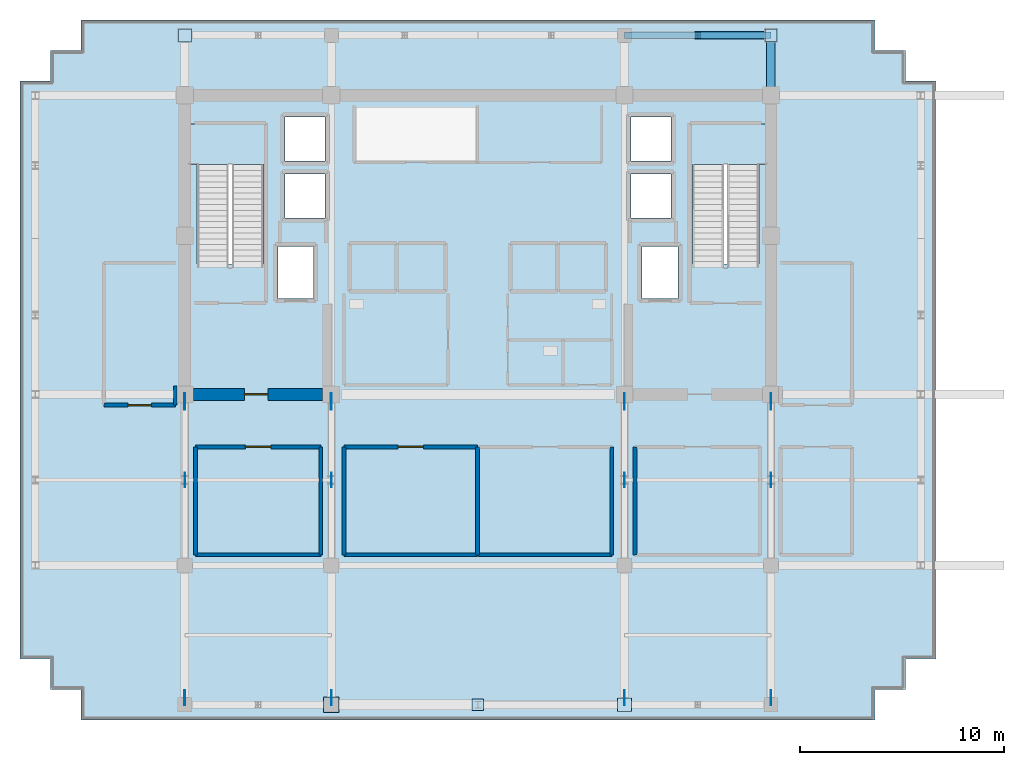
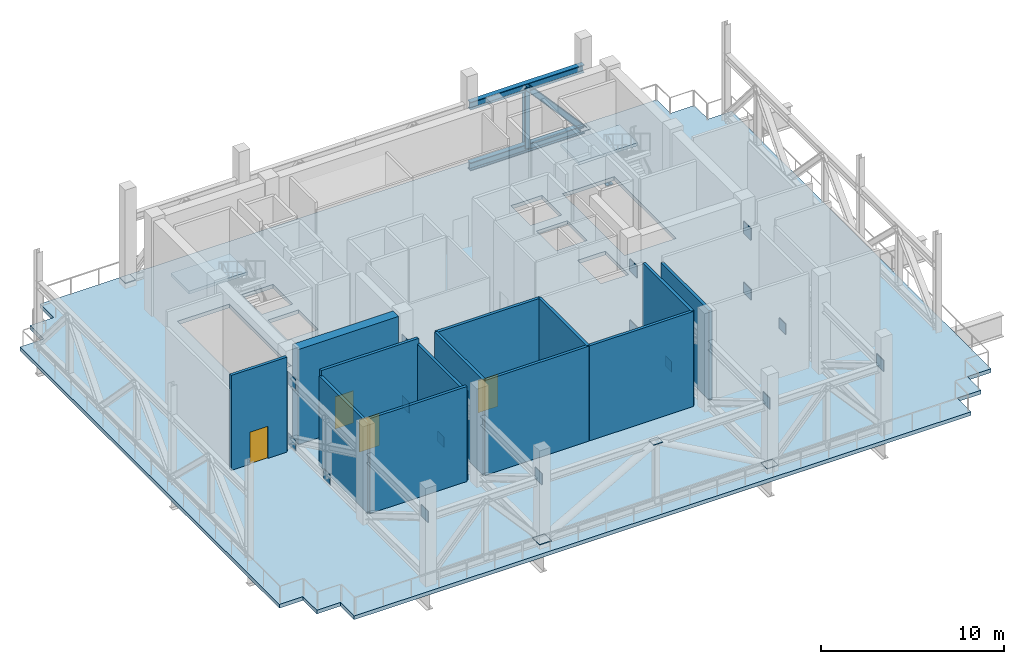
# One storey, part 3 of 11: 21 plates, 14 walls, 4 doors, 4 members, 3 slabs, 1 beam, 4 openings, 2 elements without a shape of their own.
"""IFC4 building model written with IfcOpenShell, lengths in metres."""

from ifc_helpers import new_model, si_unit, direction, frame, frame_2d, origin, origin_2d, place, context, subcontext, project, spatial, polyline, rectangle, i_section, outline, extrude, source, transform, mapped, material, layer, layer_set, material_profile, profile_set, type_object, element, fill, aggregate, save


model = new_model("IFC4")

# Units and contexts
model_context = context("Model", 3, precision=1e-05, world=origin(), true_north=direction((0.0, 1.0)))
body_context = subcontext(model_context, "Body", "Model", "MODEL_VIEW")
ifc_project = project(units=[si_unit("LENGTHUNIT", "METRE"), si_unit("AREAUNIT", "SQUARE_METRE"), si_unit("VOLUMEUNIT", "CUBIC_METRE"), si_unit("PLANEANGLEUNIT", "RADIAN"), si_unit("MASSUNIT", "GRAM", prefix="KILO")], contexts=[model_context])

# Site, building, storey
site_placement = place(None, origin())
site = spatial("IfcSite", under=ifc_project, at=site_placement, CompositionType="ELEMENT")
building_placement = place(site_placement, origin())
building = spatial("IfcBuilding", under=site, at=building_placement, Name="Zarnakvel Exchange Tower", CompositionType="ELEMENT")
storey_placement = place(building_placement, frame((0.0, 0.0, 199.0)))
storey = spatial("IfcBuildingStorey", under=building, at=storey_placement, Name="L56", CompositionType="ELEMENT", Elevation=199.0)

# Beam
ifc_material_1 = material(Name="Steel S460", Category="steel")
ifc_material_profile_1 = material_profile(ifc_material_1, i_section(OverallWidth=0.419921875, OverallDepth=1.449951171875, WebThickness=0.02392578125, FlangeThickness=0.0400390625, FilletRadius=0.030029296875, at=origin_2d()))
ifc_profile_set_1 = profile_set([ifc_material_profile_1], Name="Steel S460")
beam_type = type_object("IfcBeamType", Name="TG-01", PredefinedType="BEAM", material=ifc_profile_set_1)
beam_placement = place(storey_placement, frame((14.39990234375, 13.5, -0.97509765625), z_axis=(0.0, 1.0, 0.0), x_axis=(-1.0, 0.0, 0.0)))
element("IfcBeam", 1, at=beam_placement, inside=storey, type_object=beam_type, Name="L56 Setback N-S Transfer Girder TN-9", PredefinedType="BEAM", context=body_context, shape_type="SweptSolid", body=[
    extrude(i_section(OverallWidth=0.419921875, OverallDepth=1.449951171875, WebThickness=0.02392578125, FlangeThickness=0.0400390625, FilletRadius=0.030029296875, at=origin_2d()), origin(), (0.0, 0.0, 1.0), 3.14990234375),
])

# Members
ifc_material_2 = material(Name="Steel S355", Category="steel")
ifc_material_profile_2 = material_profile(ifc_material_2, i_section(OverallWidth=0.305908203125, OverallDepth=0.52392578125, WebThickness=0.02099609375, FlangeThickness=0.0400390625, FilletRadius=0.027099609375, at=origin_2d()))
ifc_profile_set_2 = profile_set([ifc_material_profile_2], Name="Steel S355")
member_type_1 = type_object("IfcMemberType", Name="BT-02", PredefinedType="CHORD", material=ifc_profile_set_2)
shared_shape_1 = source(origin(), body_context, "Body", "SweptSolid", [
    extrude(i_section(OverallWidth=0.305908203125, OverallDepth=0.52392578125, WebThickness=0.02099609375, FlangeThickness=0.0400390625, FilletRadius=0.027099609375, at=origin_2d()), origin(), (0.0, 0.0, 1.0), 7.199951171875),
])
for number, where, z_axis, x_axis, name in (
    (2, (7.199951171875, 16.449951171875, 0.35009765625), (1.0, 0.0, 0.0), (0.0, 1.0, 0.0), "L56 Belt Truss Bottom Chord N-E1"),
    (3, (7.199951171875, 16.449951171875, 4.39990234375), (1.0, 0.0, 0.0), (0.0, 1.0, 0.0), "L56 Belt Truss Top Chord N-E1"),
):
    element("IfcMember", number, at=place(storey_placement, frame(where, z_axis=z_axis, x_axis=x_axis)), inside=storey, type_object=member_type_1, Name=name, PredefinedType="CHORD", context=body_context, shape_type="MappedRepresentation", body=[
        mapped(shared_shape_1, transform((0.0, 0.0, 0.0), x_axis=(1.0, 0.0, 0.0), y_axis=(0.0, 1.0, 0.0), z_axis=(0.0, 0.0, 1.0), scale=1.0)),
    ])
ifc_material_profile_3 = material_profile(ifc_material_2, i_section(OverallWidth=0.30908203125, OverallDepth=0.35888671875, WebThickness=0.02099609375, FlangeThickness=0.033935546875, FilletRadius=0.014892578125, at=origin_2d()))
ifc_profile_set_3 = profile_set([ifc_material_profile_3], Name="Steel S355")
member_type_2 = type_object("IfcMemberType", Name="BT-03", PredefinedType="STRUT", material=ifc_profile_set_3)
shared_shape_2 = source(origin(), body_context, "Body", "SweptSolid", [
    extrude(i_section(OverallWidth=0.30908203125, OverallDepth=0.35888671875, WebThickness=0.02099609375, FlangeThickness=0.033935546875, FilletRadius=0.014892578125, at=origin_2d()), origin(), (0.0, 0.0, 1.0), 4.0498046875),
])
member_1_placement = place(storey_placement, frame((10.800048828125, 16.449951171875, 0.35009765625), z_axis=(0.0, 0.0, 1.0), x_axis=(1.0, 0.0, 0.0)))
element("IfcMember", 4, at=member_1_placement, inside=storey, type_object=member_type_2, Name="L56 Belt Truss Vertical Post N-E1", PredefinedType="STRUT", context=body_context, shape_type="MappedRepresentation", body=[
    mapped(shared_shape_2, transform((0.0, 0.0, 0.0), x_axis=(1.0, 0.0, 0.0), y_axis=(0.0, 1.0, 0.0), z_axis=(0.0, 0.0, 1.0), scale=1.0)),
])
ifc_material_profile_4 = material_profile(ifc_material_2, i_section(OverallWidth=0.3740234375, OverallDepth=0.364013671875, WebThickness=0.01806640625, FlangeThickness=0.027587890625, FilletRadius=0.014892578125, at=origin_2d()))
ifc_profile_set_4 = profile_set([ifc_material_profile_4], Name="Steel S355")
member_type_3 = type_object("IfcMemberType", Name="BT-01", PredefinedType="BRACE", material=ifc_profile_set_4)
shared_shape_3 = source(origin(), body_context, "Body", "SweptSolid", [
    extrude(i_section(OverallWidth=0.3740234375, OverallDepth=0.364013671875, WebThickness=0.01806640625, FlangeThickness=0.027587890625, FilletRadius=0.014892578125, at=origin_2d()), origin(), (0.0, 0.0, 1.0), 5.41845703125),
])
member_2_placement = place(storey_placement, frame((14.39990234375, 16.449951171875, 0.35009765625), z_axis=(-0.664366635472, 0.0, 0.747406832771), x_axis=(0.0, -1.0, 0.0)))
element("IfcMember", 5, at=member_2_placement, inside=storey, type_object=member_type_3, Name="L56 Belt Truss Chevron Right N-E1", PredefinedType="BRACE", context=body_context, shape_type="MappedRepresentation", body=[
    mapped(shared_shape_3, transform((0.0, 0.0, 0.0), x_axis=(1.0, 0.0, 0.0), y_axis=(0.0, 1.0, 0.0), z_axis=(0.0, 0.0, 1.0), scale=1.0)),
])

# Stair, slab
ifc_material_3 = material(Name="Concrete C40/50", Category="concrete")
stair_type = type_object("IfcStairType", Name="STR-01", PredefinedType="HALF_TURN_STAIR", material=ifc_material_3)
stair_1_placement = place(storey_placement, origin())
stair_1 = element("IfcStair", 6, at=stair_1_placement, inside=storey, type_object=stair_type, Name="L56 Protected Core Exit Stair ST-01", PredefinedType="HALF_TURN_STAIR")
ifc_layer_1 = layer(ifc_material_3, 0.199951171875)
ifc_layer_set_1 = layer_set([ifc_layer_1], Name="Concrete C40/50")
slab_type_1 = type_object("IfcSlabType", Name="LDG-01", PredefinedType="LANDING", material=ifc_layer_set_1)
slab_1_placement = place(storey_placement, frame((0.0, 0.0, 3.10009765625)))
slab_1 = element("IfcSlab", 7, at=slab_1_placement, type_object=slab_type_1, Name="ST-01 landing 1", PredefinedType="LANDING", context=body_context, shape_type="SweptSolid", body=[
    extrude(outline(polyline([(-14.18994140625, 10.090087890625), (-10.4599609375, 10.090087890625), (-10.4599609375, 12.080078125), (-14.18994140625, 12.080078125), (-14.18994140625, 10.090087890625)])), origin(), (0.0, 0.0, 1.0), 0.199951171875),
])
aggregate(stair_1, [slab_1])

stair_2_placement = place(storey_placement, origin())
stair_2 = element("IfcStair", 8, at=stair_2_placement, inside=storey, type_object=stair_type, Name="L56 Protected Core Exit Stair ST-02", PredefinedType="HALF_TURN_STAIR")
slab_2_placement = place(storey_placement, frame((0.0, 0.0, 3.10009765625)))
slab_2 = element("IfcSlab", 9, at=slab_2_placement, type_object=slab_type_1, Name="ST-02 landing 1", PredefinedType="LANDING", context=body_context, shape_type="SweptSolid", body=[
    extrude(outline(polyline([(10.4599609375, 10.090087890625), (14.18994140625, 10.090087890625), (14.18994140625, 12.080078125), (10.4599609375, 12.080078125), (10.4599609375, 10.090087890625)])), origin(), (0.0, 0.0, 1.0), 0.199951171875),
])
aggregate(stair_2, [slab_2])

# Slab
ifc_layer_2 = layer(ifc_material_3, 0.25)
ifc_layer_set_2 = layer_set([ifc_layer_2], Name="Concrete C40/50")
slab_type_2 = type_object("IfcSlabType", Name="SL-03", PredefinedType="FLOOR", material=ifc_layer_set_2)
slab_3_placement = place(storey_placement, frame((0.0, 0.0, -0.25)))
element("IfcSlab", 10, at=slab_3_placement, inside=storey, type_object=slab_type_2, Name="L56 Primary Structural Floor Slab", PredefinedType="FLOOR", context=body_context, shape_type="SweptSolid", body=[
    extrude(outline(polyline([(-22.5, -14.199951171875), (-21.0, -14.199951171875), (-21.0, -15.699951171875), (-19.5, -15.699951171875), (-19.5, -17.199951171875), (19.5, -17.199951171875), (19.5, -15.699951171875), (21.0, -15.699951171875), (21.0, -14.199951171875), (22.5, -14.199951171875), (22.5, 14.199951171875), (21.0, 14.199951171875), (21.0, 15.699951171875), (19.5, 15.699951171875), (19.5, 17.199951171875), (-19.5, 17.199951171875), (-19.5, 15.699951171875), (-21.0, 15.699951171875), (-21.0, 14.199951171875), (-22.5, 14.199951171875), (-22.5, -14.199951171875)]), holes=[polyline([(-13.800048828125, 5.2099609375), (-10.5400390625, 5.2099609375), (-10.5400390625, 12.0), (-13.800048828125, 12.0), (-13.800048828125, 5.2099609375)]), polyline([(10.5400390625, 5.2099609375), (13.800048828125, 5.2099609375), (13.800048828125, 12.0), (10.5400390625, 12.0), (10.5400390625, 5.2099609375)]), polyline([(-9.830078125, 3.52001953125), (-8.070068359375, 3.52001953125), (-8.070068359375, 6.080078125), (-9.830078125, 6.080078125), (-9.830078125, 3.52001953125)]), polyline([(8.070068359375, 3.52001953125), (9.830078125, 3.52001953125), (9.830078125, 6.080078125), (8.070068359375, 6.080078125), (8.070068359375, 3.52001953125)]), polyline([(-9.47998046875, 7.469970703125), (-7.52001953125, 7.469970703125), (-7.52001953125, 9.6298828125), (-9.47998046875, 9.6298828125), (-9.47998046875, 7.469970703125)]), polyline([(-9.47998046875, 10.27001953125), (-7.52001953125, 10.27001953125), (-7.52001953125, 12.429931640625), (-9.47998046875, 12.429931640625), (-9.47998046875, 10.27001953125)]), polyline([(7.52001953125, 7.469970703125), (9.47998046875, 7.469970703125), (9.47998046875, 9.6298828125), (7.52001953125, 9.6298828125), (7.52001953125, 7.469970703125)]), polyline([(7.52001953125, 10.27001953125), (9.47998046875, 10.27001953125), (9.47998046875, 12.429931640625), (7.52001953125, 12.429931640625), (7.52001953125, 10.27001953125)])]), origin(), (0.0, 0.0, 1.0), 0.25),
])

# Plates
ifc_layer_3 = layer(ifc_material_1, 0.0380859375)
ifc_layer_set_3 = layer_set([ifc_layer_3], Name="Steel S460")
plate_type_1 = type_object("IfcPlateType", Name="ON1", PredefinedType="USERDEFINED", material=ifc_layer_set_3)
shared_shape_4 = source(origin(), body_context, "Body", "SweptSolid", [
    extrude(rectangle(XDim=0.0380859375, YDim=0.800048828125, at=origin_2d()), origin(), (0.0, 0.0, 1.0), 0.800048828125),
])
for number, where, z_axis, x_axis, name in (
    (11, (-14.39990234375, -1.550048828125, 4.0), (0.0, 0.0, 1.0), (1.0, 0.0, 0.0), "L56 Outrigger Core Upper Gusset ON1 (4)"),
    (12, (-7.199951171875, -1.550048828125, 4.0), (0.0, 0.0, 1.0), (1.0, 0.0, 0.0), "L56 Outrigger Core Upper Gusset ON1 (5)"),
    (13, (7.199951171875, -1.550048828125, 4.0), (0.0, 0.0, 1.0), (1.0, 0.0, 0.0), "L56 Outrigger Core Upper Gusset ON1 (8)"),
    (14, (14.39990234375, -1.550048828125, 4.0), (0.0, 0.0, 1.0), (1.0, 0.0, 0.0), "L56 Outrigger Core Upper Gusset ON1 (9)"),
):
    element("IfcPlate", number, at=place(storey_placement, frame(where, z_axis=z_axis, x_axis=x_axis)), inside=storey, type_object=plate_type_1, Name=name, ObjectType="GUSSET_PLATE", PredefinedType="USERDEFINED", context=body_context, shape_type="MappedRepresentation", body=[
        mapped(shared_shape_4, transform((0.0, 0.0, 0.0), x_axis=(1.0, 0.0, 0.0), y_axis=(0.0, 1.0, 0.0), z_axis=(0.0, 0.0, 1.0), scale=1.0)),
    ])
ifc_layer_4 = layer(ifc_material_1, 0.035888671875)
ifc_layer_set_4 = layer_set([ifc_layer_4], Name="Steel S460")
plate_type_2 = type_object("IfcPlateType", Name="ON2", PredefinedType="USERDEFINED", material=ifc_layer_set_4)
shared_shape_5 = source(origin(), body_context, "Body", "SweptSolid", [
    extrude(rectangle(XDim=0.035888671875, YDim=0.800048828125, at=origin_2d()), origin(), (0.0, 0.0, 1.0), 0.75),
])
for number, where, z_axis, x_axis, name in (
    (15, (-14.39990234375, -1.550048828125, -0.02490234375), (0.0, 0.0, 1.0), (1.0, 0.0, 0.0), "L56 Outrigger Core Lower Gusset ON2 (4)"),
    (16, (-7.199951171875, -1.550048828125, -0.02490234375), (0.0, 0.0, 1.0), (1.0, 0.0, 0.0), "L56 Outrigger Core Lower Gusset ON2 (5)"),
    (17, (7.199951171875, -1.550048828125, -0.02490234375), (0.0, 0.0, 1.0), (1.0, 0.0, 0.0), "L56 Outrigger Core Lower Gusset ON2 (8)"),
    (18, (14.39990234375, -1.550048828125, -0.02490234375), (0.0, 0.0, 1.0), (1.0, 0.0, 0.0), "L56 Outrigger Core Lower Gusset ON2 (9)"),
):
    element("IfcPlate", number, at=place(storey_placement, frame(where, z_axis=z_axis, x_axis=x_axis)), inside=storey, type_object=plate_type_2, Name=name, ObjectType="GUSSET_PLATE", PredefinedType="USERDEFINED", context=body_context, shape_type="MappedRepresentation", body=[
        mapped(shared_shape_5, transform((0.0, 0.0, 0.0), x_axis=(1.0, 0.0, 0.0), y_axis=(0.0, 1.0, 0.0), z_axis=(0.0, 0.0, 1.0), scale=1.0)),
    ])
ifc_layer_5 = layer(ifc_material_1, 0.034912109375)
ifc_layer_set_5 = layer_set([ifc_layer_5], Name="Steel S460")
plate_type_3 = type_object("IfcPlateType", Name="ON3", PredefinedType="USERDEFINED", material=ifc_layer_set_5)
shared_shape_6 = source(origin(), body_context, "Body", "SweptSolid", [
    extrude(rectangle(XDim=0.034912109375, YDim=0.75, at=origin_2d()), origin(), (0.0, 0.0, 1.0), 0.75),
])
for number, where, z_axis, x_axis, name in (
    (19, (-14.39990234375, -16.10009765625, 4.02490234375), (0.0, 0.0, 1.0), (1.0, 0.0, 0.0), "L56 Outrigger Perimeter Gusset ON3 (4)"),
    (20, (-7.199951171875, -16.10009765625, 4.02490234375), (0.0, 0.0, 1.0), (1.0, 0.0, 0.0), "L56 Outrigger Perimeter Gusset ON3 (5)"),
    (21, (7.199951171875, -16.10009765625, 4.02490234375), (0.0, 0.0, 1.0), (1.0, 0.0, 0.0), "L56 Outrigger Perimeter Gusset ON3 (8)"),
    (22, (14.39990234375, -16.10009765625, 4.02490234375), (0.0, 0.0, 1.0), (1.0, 0.0, 0.0), "L56 Outrigger Perimeter Gusset ON3 (9)"),
):
    element("IfcPlate", number, at=place(storey_placement, frame(where, z_axis=z_axis, x_axis=x_axis)), inside=storey, type_object=plate_type_3, Name=name, ObjectType="GUSSET_PLATE", PredefinedType="USERDEFINED", context=body_context, shape_type="MappedRepresentation", body=[
        mapped(shared_shape_6, transform((0.0, 0.0, 0.0), x_axis=(1.0, 0.0, 0.0), y_axis=(0.0, 1.0, 0.0), z_axis=(0.0, 0.0, 1.0), scale=1.0)),
    ])
ifc_layer_6 = layer(ifc_material_1, 0.031982421875)
ifc_layer_set_6 = layer_set([ifc_layer_6], Name="Steel S460")
plate_type_4 = type_object("IfcPlateType", Name="ON4", PredefinedType="USERDEFINED", material=ifc_layer_set_6)
shared_shape_7 = source(origin(), body_context, "Body", "SweptSolid", [
    extrude(rectangle(XDim=0.031982421875, YDim=0.699951171875, at=origin_2d()), origin(), (0.0, 0.0, 1.0), 0.699951171875),
])
for number, where, z_axis, x_axis, name in (
    (23, (-14.39990234375, -5.39990234375, 0.0), (0.0, 0.0, 1.0), (1.0, 0.0, 0.0), "L56 Outrigger Web Splice Gusset ON4 (4)"),
    (24, (-7.199951171875, -5.39990234375, 0.0), (0.0, 0.0, 1.0), (1.0, 0.0, 0.0), "L56 Outrigger Web Splice Gusset ON4 (5)"),
    (25, (7.199951171875, -5.39990234375, 0.0), (0.0, 0.0, 1.0), (1.0, 0.0, 0.0), "L56 Outrigger Web Splice Gusset ON4 (8)"),
    (26, (14.39990234375, -5.39990234375, 0.0), (0.0, 0.0, 1.0), (1.0, 0.0, 0.0), "L56 Outrigger Web Splice Gusset ON4 (9)"),
):
    element("IfcPlate", number, at=place(storey_placement, frame(where, z_axis=z_axis, x_axis=x_axis)), inside=storey, type_object=plate_type_4, Name=name, ObjectType="GUSSET_PLATE", PredefinedType="USERDEFINED", context=body_context, shape_type="MappedRepresentation", body=[
        mapped(shared_shape_7, transform((0.0, 0.0, 0.0), x_axis=(1.0, 0.0, 0.0), y_axis=(0.0, 1.0, 0.0), z_axis=(0.0, 0.0, 1.0), scale=1.0)),
    ])
ifc_layer_7 = layer(ifc_material_2, 0.028076171875)
ifc_layer_set_7 = layer_set([ifc_layer_7], Name="Steel S355")
plate_type_5 = type_object("IfcPlateType", Name="BN3", PredefinedType="USERDEFINED", material=ifc_layer_set_7)
shared_shape_8 = source(origin(), body_context, "Body", "SweptSolid", [
    extrude(rectangle(XDim=0.639892578125, YDim=0.639892578125, at=origin_2d()), origin(), (0.0, 0.0, 1.0), 0.028076171875),
])
plate_1_placement = place(storey_placement, frame((-14.39990234375, 16.449951171875, 0.3359375), z_axis=(0.0, 0.0, 1.0), x_axis=(1.0, 0.0, 0.0)))
element("IfcPlate", 27, at=plate_1_placement, inside=storey, type_object=plate_type_5, Name="L56 Truss Node Gusset BN3", ObjectType="GUSSET_PLATE", PredefinedType="USERDEFINED", context=body_context, shape_type="MappedRepresentation", body=[
    mapped(shared_shape_8, transform((0.0, 0.0, 0.0), x_axis=(1.0, 0.0, 0.0), y_axis=(0.0, 1.0, 0.0), z_axis=(0.0, 0.0, 1.0), scale=1.0)),
])
ifc_layer_8 = layer(ifc_material_2, 0.02587890625)
ifc_layer_set_8 = layer_set([ifc_layer_8], Name="Steel S355")
plate_type_6 = type_object("IfcPlateType", Name="BN4", PredefinedType="USERDEFINED", material=ifc_layer_set_8)
shared_shape_9 = source(origin(), body_context, "Body", "SweptSolid", [
    extrude(rectangle(XDim=0.60009765625, YDim=0.60009765625, at=origin_2d()), origin(), (0.0, 0.0, 1.0), 0.02587890625),
])
plate_2_placement = place(storey_placement, frame((14.39990234375, 16.449951171875, 0.337158203125), z_axis=(0.0, 0.0, 1.0), x_axis=(1.0, 0.0, 0.0)))
element("IfcPlate", 28, at=plate_2_placement, inside=storey, type_object=plate_type_6, Name="L56 Truss Node Gusset BN4", ObjectType="GUSSET_PLATE", PredefinedType="USERDEFINED", context=body_context, shape_type="MappedRepresentation", body=[
    mapped(shared_shape_9, transform((0.0, 0.0, 0.0), x_axis=(1.0, 0.0, 0.0), y_axis=(0.0, 1.0, 0.0), z_axis=(0.0, 0.0, 1.0), scale=1.0)),
])
ifc_layer_9 = layer(ifc_material_2, 0.033935546875)
ifc_layer_set_9 = layer_set([ifc_layer_9], Name="Steel S355")
plate_type_7 = type_object("IfcPlateType", Name="VN1", PredefinedType="USERDEFINED", material=ifc_layer_set_9)
shared_shape_10 = source(origin(), body_context, "Body", "SweptSolid", [
    extrude(rectangle(XDim=0.760009765625, YDim=0.760009765625, at=origin_2d()), origin(), (0.0, 0.0, 1.0), 0.033935546875),
])
plate_3_placement = place(storey_placement, frame((-7.199951171875, -16.449951171875, 0.3330078125), z_axis=(0.0, 0.0, 1.0), x_axis=(1.0, 0.0, 0.0)))
element("IfcPlate", 29, at=plate_3_placement, inside=storey, type_object=plate_type_7, Name="L56 Truss Node Gusset VN1", ObjectType="GUSSET_PLATE", PredefinedType="USERDEFINED", context=body_context, shape_type="MappedRepresentation", body=[
    mapped(shared_shape_10, transform((0.0, 0.0, 0.0), x_axis=(1.0, 0.0, 0.0), y_axis=(0.0, 1.0, 0.0), z_axis=(0.0, 0.0, 1.0), scale=1.0)),
])
ifc_layer_10 = layer(ifc_material_2, 0.030029296875)
ifc_layer_set_10 = layer_set([ifc_layer_10], Name="Steel S355")
plate_type_8 = type_object("IfcPlateType", Name="VN2", PredefinedType="USERDEFINED", material=ifc_layer_set_10)
shared_shape_11 = source(origin(), body_context, "Body", "SweptSolid", [
    extrude(rectangle(XDim=0.699951171875, YDim=0.64990234375, at=origin_2d()), origin(), (0.0, 0.0, 1.0), 0.030029296875),
])
plate_4_placement = place(storey_placement, frame((7.199951171875, -16.449951171875, 0.3349609375), z_axis=(0.0, 0.0, 1.0), x_axis=(1.0, 0.0, 0.0)))
element("IfcPlate", 30, at=plate_4_placement, inside=storey, type_object=plate_type_8, Name="L56 Truss Node Gusset VN2", ObjectType="GUSSET_PLATE", PredefinedType="USERDEFINED", context=body_context, shape_type="MappedRepresentation", body=[
    mapped(shared_shape_11, transform((0.0, 0.0, 0.0), x_axis=(1.0, 0.0, 0.0), y_axis=(0.0, 1.0, 0.0), z_axis=(0.0, 0.0, 1.0), scale=1.0)),
])
ifc_layer_11 = layer(ifc_material_2, 0.031982421875)
ifc_layer_set_11 = layer_set([ifc_layer_11], Name="Steel S355")
plate_type_9 = type_object("IfcPlateType", Name="BP-01", PredefinedType="USERDEFINED", material=ifc_layer_set_11)
shared_shape_12 = source(origin(), body_context, "Body", "SweptSolid", [
    extrude(rectangle(XDim=0.56005859375, YDim=0.56005859375, at=origin_2d()), origin(), (0.0, 0.0, 1.0), 0.031982421875),
])
plate_5_placement = place(storey_placement, frame((0.0, -16.449951171875, 4.3837890625), z_axis=(0.0, 0.0, 1.0), x_axis=(1.0, 0.0, 0.0)))
element("IfcPlate", 31, at=plate_5_placement, inside=storey, type_object=plate_type_9, Name="L56 Tube End Cap Plate 1B", ObjectType="BASE_PLATE", PredefinedType="USERDEFINED", context=body_context, shape_type="MappedRepresentation", body=[
    mapped(shared_shape_12, transform((0.0, 0.0, 0.0), x_axis=(1.0, 0.0, 0.0), y_axis=(0.0, 1.0, 0.0), z_axis=(0.0, 0.0, 1.0), scale=1.0)),
])

# Wall, opening, door
ifc_material_4 = material(Name="Concrete C50/60", Category="concrete")
ifc_layer_12 = layer(ifc_material_4, 0.60009765625)
ifc_layer_set_12 = layer_set([ifc_layer_12], Name="Concrete C50/60")
wall_type_1 = type_object("IfcWallType", Name="CW-C5", PredefinedType="SHEAR", material=ifc_layer_set_12)
wall_1_placement = place(storey_placement, frame((-7.625, -1.199951171875, 0.0), z_axis=(0.0, 0.0, 1.0), x_axis=(-1.0, 0.0, 0.0)))
wall_1 = element("IfcWall", 32, at=wall_1_placement, inside=storey, type_object=wall_type_1, Name="L56 Rear Core Shear Wall SW (CW-C5)", PredefinedType="SHEAR", context=body_context, shape_type="SweptSolid", body=[
    extrude(rectangle(XDim=6.35009765625, YDim=0.60009765625, at=frame_2d((3.175048828125, 0.0))), origin(), (0.0, 0.0, 1.0), 6.35009765625),
])
opening_1_placement = place(wall_1_placement, frame((2.699951171875, 0.0, 0.0)))
opening_1 = element("IfcOpeningElement", 33, at=opening_1_placement, cuts=wall_1, Name="Opening D-L56-03", PredefinedType="OPENING", context=body_context, shape_type="SweptSolid", body=[
    extrude(rectangle(XDim=1.14990234375, YDim=2.14990234375, at=frame_2d((0.574951171875, 1.074951171875))), frame((0.0, 0.31005859375, 0.0), z_axis=(0.0, -1.0, 0.0), x_axis=(1.0, 0.0, 0.0)), (0.0, 0.0, 1.0), 0.6201171875),
])
ifc_material_5 = material(Name="Painted Galvanised Steel S355", Category="steel")
door_type_1 = type_object("IfcDoorType", Name="DT-04", OperationType="NOTDEFINED", PredefinedType="DOOR", material=ifc_material_5)
shared_shape_13 = source(origin(), body_context, "Body", "SweptSolid", [
    extrude(rectangle(XDim=1.14990234375, YDim=2.14990234375, at=frame_2d((0.574951171875, 1.074951171875))), frame((0.0, 0.02490234375, 0.0), z_axis=(0.0, -1.0, 0.0), x_axis=(1.0, 0.0, 0.0)), (0.0, 0.0, 1.0), 0.050048828125),
])
door_1_placement = place(opening_1_placement, origin())
door_1 = element("IfcDoor", 34, at=door_1_placement, inside=storey, type_object=door_type_1, Name="L56 Firefighting Lobby West Door D-L56-03", OperationType="SINGLE_SWING_RIGHT", OverallHeight=2.14990234375, OverallWidth=1.14990234375, PredefinedType="DOOR", context=body_context, shape_type="MappedRepresentation", body=[
    mapped(shared_shape_13, transform((0.0, 0.0, 0.0), x_axis=(1.0, 0.0, 0.0), y_axis=(0.0, 1.0, 0.0), z_axis=(0.0, 0.0, 1.0), scale=1.0)),
])
fill(opening_1, door_1)

ifc_material_6 = material(Name="Fire-Rated Gypsum Stud Partition", Category="gypsum")
ifc_layer_13 = layer(ifc_material_6, 0.179931640625)
ifc_layer_set_13 = layer_set([ifc_layer_13], Name="Fire-Rated Gypsum Stud Partition")
wall_type_2 = type_object("IfcWallType", Name="PT-02", PredefinedType="PARTITIONING", material=ifc_layer_set_13)
wall_2_placement = place(storey_placement, frame((-14.8701171875, -1.719970703125, 0.0), z_axis=(0.0, 0.0, 1.0), x_axis=(-1.0, 0.0, 0.0)))
wall_2 = element("IfcWall", 35, at=wall_2_placement, inside=storey, type_object=wall_type_2, Name="L56 Partition Wall PWALL-L56-027 (PT-02)", PredefinedType="PARTITIONING", context=body_context, shape_type="SweptSolid", body=[
    extrude(rectangle(XDim=3.509765625, YDim=0.179931640625, at=frame_2d((1.7548828125, 0.0))), origin(), (0.0, 0.0, 1.0), 6.35009765625),
])
opening_2_placement = place(wall_2_placement, frame((1.179931640625, 0.0, 0.0)))
opening_2 = element("IfcOpeningElement", 36, at=opening_2_placement, cuts=wall_2, Name="Opening D-L56-11", PredefinedType="OPENING", context=body_context, shape_type="SweptSolid", body=[
    extrude(rectangle(XDim=1.14990234375, YDim=2.14990234375, at=frame_2d((0.574951171875, 1.074951171875))), frame((0.0, 0.099853515625, 0.0), z_axis=(0.0, -1.0, 0.0), x_axis=(1.0, 0.0, 0.0)), (0.0, 0.0, 1.0), 0.199951171875),
])
door_2_placement = place(opening_2_placement, origin())
door_2 = element("IfcDoor", 37, at=door_2_placement, inside=storey, type_object=door_type_1, Name="L56 L56 Protected Refuge Area West Door D-L56-11", OperationType="SINGLE_SWING_RIGHT", OverallHeight=2.14990234375, OverallWidth=1.14990234375, PredefinedType="DOOR", context=body_context, shape_type="MappedRepresentation", body=[
    mapped(shared_shape_13, transform((0.0, 0.0, 0.0), x_axis=(1.0, 0.0, 0.0), y_axis=(0.0, 1.0, 0.0), z_axis=(0.0, 0.0, 1.0), scale=1.0)),
])
fill(opening_2, door_2)

# Walls
wall_3_placement = place(storey_placement, frame((-14.8701171875, -0.77490234375, 0.0), z_axis=(0.0, 0.0, 1.0), x_axis=(0.0, -1.0, 0.0)))
element("IfcWall", 38, at=wall_3_placement, inside=storey, type_object=wall_type_2, Name="L56 Partition Wall PWALL-L56-030 (PT-02)", PredefinedType="PARTITIONING", context=body_context, shape_type="SweptSolid", body=[
    extrude(rectangle(XDim=0.945068359375, YDim=0.179931640625, at=frame_2d((0.47265625, 0.0))), origin(), (0.0, 0.0, 1.0), 5.33203125),
])
wall_4_placement = place(storey_placement, frame((-0.02001953125, -9.080078125, 0.0), z_axis=(0.0, 0.0, 1.0), x_axis=(-1.0, 0.0, 0.0)))
element("IfcWall", 39, at=wall_4_placement, inside=storey, type_object=wall_type_2, Name="L56 Partition Wall PWALL-L56-035 (PT-02)", PredefinedType="PARTITIONING", context=body_context, shape_type="SweptSolid", body=[
    extrude(rectangle(XDim=6.56005859375, YDim=0.179931640625, at=frame_2d((3.280029296875, 0.0))), origin(), (0.0, 0.0, 1.0), 6.35009765625),
])

# Wall, opening, door
wall_5_placement = place(storey_placement, frame((-6.580078125, -3.780029296875, 0.0), z_axis=(0.0, 0.0, 1.0), x_axis=(1.0, 0.0, 0.0)))
wall_5 = element("IfcWall", 40, at=wall_5_placement, inside=storey, type_object=wall_type_2, Name="L56 Partition Wall PWALL-L56-036 (PT-02)", PredefinedType="PARTITIONING", context=body_context, shape_type="SweptSolid", body=[
    extrude(rectangle(XDim=6.56005859375, YDim=0.179931640625, at=frame_2d((3.280029296875, 0.0))), origin(), (0.0, 0.0, 1.0), 6.35009765625),
])
opening_3_placement = place(wall_5_placement, frame((2.655029296875, 0.0, 0.0)))
opening_3 = element("IfcOpeningElement", 41, at=opening_3_placement, cuts=wall_5, Name="Opening D-L56-13", PredefinedType="OPENING", context=body_context, shape_type="SweptSolid", body=[
    extrude(rectangle(XDim=1.25, YDim=2.14990234375, at=frame_2d((0.625, 1.074951171875))), frame((0.0, 0.099853515625, 0.0), z_axis=(0.0, -1.0, 0.0), x_axis=(1.0, 0.0, 0.0)), (0.0, 0.0, 1.0), 0.199951171875),
])
door_type_2 = type_object("IfcDoorType", Name="DT-06", OperationType="NOTDEFINED", PredefinedType="DOOR", material=ifc_material_5)
shared_shape_14 = source(origin(), body_context, "Body", "SweptSolid", [
    extrude(rectangle(XDim=1.25, YDim=2.14990234375, at=frame_2d((0.625, 1.074951171875))), frame((0.0, 0.02490234375, 0.0), z_axis=(0.0, -1.0, 0.0), x_axis=(1.0, 0.0, 0.0)), (0.0, 0.0, 1.0), 0.050048828125),
])
door_3_placement = place(opening_3_placement, origin())
door_3 = element("IfcDoor", 42, at=door_3_placement, inside=storey, type_object=door_type_2, Name="L56 L56 Chiller Heat-Exchanger Plant Room Door D-L56-13", OperationType="SINGLE_SWING_RIGHT", OverallHeight=2.14990234375, OverallWidth=1.25, PredefinedType="DOOR", context=body_context, shape_type="MappedRepresentation", body=[
    mapped(shared_shape_14, transform((0.0, 0.0, 0.0), x_axis=(1.0, 0.0, 0.0), y_axis=(0.0, 1.0, 0.0), z_axis=(0.0, 0.0, 1.0), scale=1.0)),
])
fill(opening_3, door_3)

# Walls
for number, where, z_axis, x_axis, name in (
    (43, (-6.580078125, -9.080078125, 0.0), (0.0, 0.0, 1.0), (0.0, 1.0, 0.0), "L56 Partition Wall PWALL-L56-037 (PT-02)"),
    (44, (-0.02001953125, -3.780029296875, 0.0), (0.0, 0.0, 1.0), (0.0, -1.0, 0.0), "L56 Partition Wall PWALL-L56-038 (PT-02)"),
):
    element("IfcWall", number, at=place(storey_placement, frame(where, z_axis=z_axis, x_axis=x_axis)), inside=storey, type_object=wall_type_2, Name=name, PredefinedType="PARTITIONING", context=body_context, shape_type="SweptSolid", body=[
        extrude(rectangle(XDim=5.300048828125, YDim=0.179931640625, at=frame_2d((2.64990234375, 0.0))), origin(), (0.0, 0.0, 1.0), 6.35009765625),
    ])
wall_6_placement = place(storey_placement, frame((6.580078125, -9.080078125, 0.0), z_axis=(0.0, 0.0, 1.0), x_axis=(-1.0, 0.0, 0.0)))
element("IfcWall", 45, at=wall_6_placement, inside=storey, type_object=wall_type_2, Name="L56 Partition Wall PWALL-L56-039 (PT-02)", PredefinedType="PARTITIONING", context=body_context, shape_type="SweptSolid", body=[
    extrude(rectangle(XDim=6.56005859375, YDim=0.179931640625, at=frame_2d((3.280029296875, 0.0))), origin(), (0.0, 0.0, 1.0), 6.35009765625),
])
wall_7_placement = place(storey_placement, frame((6.580078125, -3.780029296875, 0.0), z_axis=(0.0, 0.0, 1.0), x_axis=(0.0, -1.0, 0.0)))
element("IfcWall", 46, at=wall_7_placement, inside=storey, type_object=wall_type_2, Name="L56 Partition Wall PWALL-L56-041 (PT-02)", PredefinedType="PARTITIONING", context=body_context, shape_type="SweptSolid", body=[
    extrude(rectangle(XDim=5.300048828125, YDim=0.179931640625, at=frame_2d((2.64990234375, 0.0))), origin(), (0.0, 0.0, 1.0), 6.35009765625),
])
wall_8_placement = place(storey_placement, frame((-7.719970703125, -9.080078125, 0.0), z_axis=(0.0, 0.0, 1.0), x_axis=(-1.0, 0.0, 0.0)))
element("IfcWall", 47, at=wall_8_placement, inside=storey, type_object=wall_type_2, Name="L56 Partition Wall PWALL-L56-042 (PT-02)", PredefinedType="PARTITIONING", context=body_context, shape_type="SweptSolid", body=[
    extrude(rectangle(XDim=6.159912109375, YDim=0.179931640625, at=frame_2d((3.080078125, 0.0))), origin(), (0.0, 0.0, 1.0), 6.35009765625),
])

# Wall, opening, door
wall_9_placement = place(storey_placement, frame((-13.8798828125, -3.780029296875, 0.0), z_axis=(0.0, 0.0, 1.0), x_axis=(1.0, 0.0, 0.0)))
wall_9 = element("IfcWall", 48, at=wall_9_placement, inside=storey, type_object=wall_type_2, Name="L56 Partition Wall PWALL-L56-043 (PT-02)", PredefinedType="PARTITIONING", context=body_context, shape_type="SweptSolid", body=[
    extrude(rectangle(XDim=6.159912109375, YDim=0.179931640625, at=frame_2d((3.080078125, 0.0))), origin(), (0.0, 0.0, 1.0), 6.35009765625),
])
opening_4_placement = place(wall_9_placement, frame((2.455078125, 0.0, 0.0)))
opening_4 = element("IfcOpeningElement", 49, at=opening_4_placement, cuts=wall_9, Name="Opening D-L56-15", PredefinedType="OPENING", context=body_context, shape_type="SweptSolid", body=[
    extrude(rectangle(XDim=1.25, YDim=2.14990234375, at=frame_2d((0.625, 1.074951171875))), frame((0.0, 0.099853515625, 0.0), z_axis=(0.0, -1.0, 0.0), x_axis=(1.0, 0.0, 0.0)), (0.0, 0.0, 1.0), 0.199951171875),
])
door_4_placement = place(opening_4_placement, origin())
door_4 = element("IfcDoor", 50, at=door_4_placement, inside=storey, type_object=door_type_2, Name="L56 L56 Fire Transfer Pump Plant Room Door D-L56-15", OperationType="SINGLE_SWING_RIGHT", OverallHeight=2.14990234375, OverallWidth=1.25, PredefinedType="DOOR", context=body_context, shape_type="MappedRepresentation", body=[
    mapped(shared_shape_14, transform((0.0, 0.0, 0.0), x_axis=(1.0, 0.0, 0.0), y_axis=(0.0, 1.0, 0.0), z_axis=(0.0, 0.0, 1.0), scale=1.0)),
])
fill(opening_4, door_4)

# Walls
for number, where, z_axis, x_axis, name in (
    (51, (-13.8798828125, -9.080078125, 0.0), (0.0, 0.0, 1.0), (0.0, 1.0, 0.0), "L56 Partition Wall PWALL-L56-044 (PT-02)"),
    (52, (-7.719970703125, -3.780029296875, 0.0), (0.0, 0.0, 1.0), (0.0, -1.0, 0.0), "L56 Partition Wall PWALL-L56-045 (PT-02)"),
    (53, (7.719970703125, -9.080078125, 0.0), (0.0, 0.0, 1.0), (0.0, 1.0, 0.0), "L56 Partition Wall PWALL-L56-048 (PT-02)"),
):
    element("IfcWall", number, at=place(storey_placement, frame(where, z_axis=z_axis, x_axis=x_axis)), inside=storey, type_object=wall_type_2, Name=name, PredefinedType="PARTITIONING", context=body_context, shape_type="SweptSolid", body=[
        extrude(rectangle(XDim=5.300048828125, YDim=0.179931640625, at=frame_2d((2.64990234375, 0.0))), origin(), (0.0, 0.0, 1.0), 5.97998046875),
    ])

save(model, "model.ifc")
